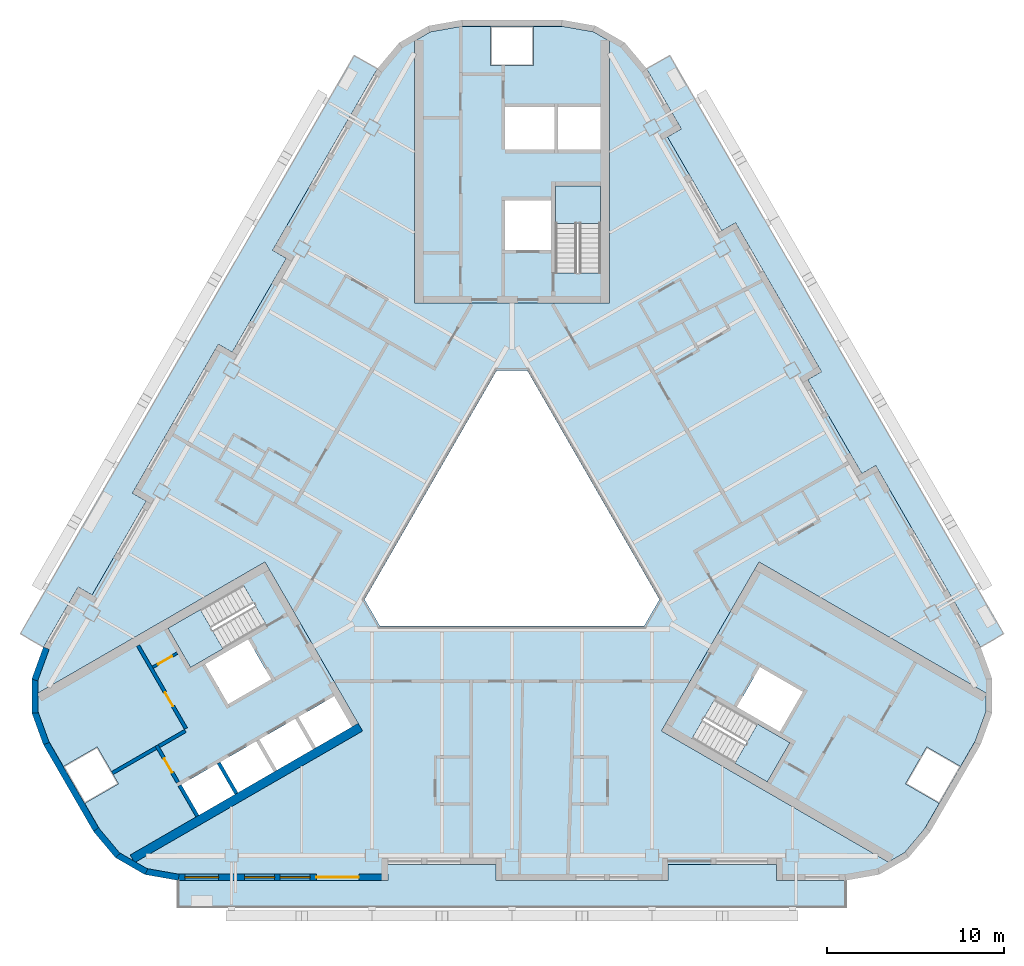
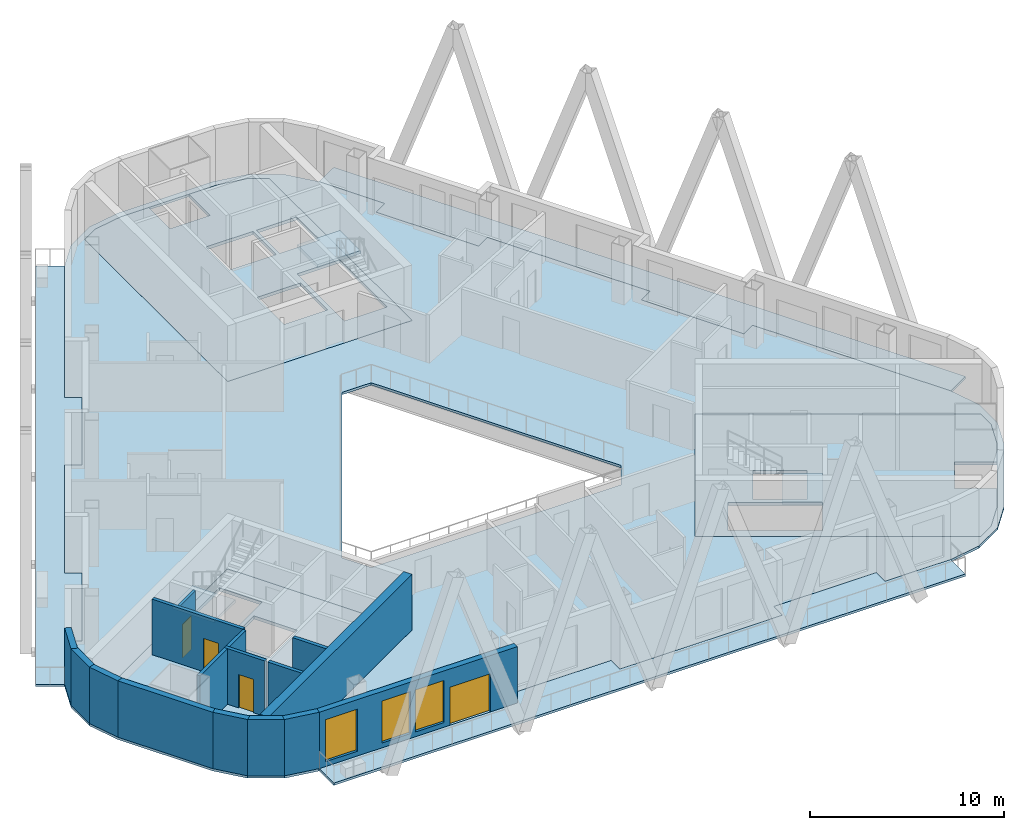
# One storey, part 2 of 14: 16 walls, 10 slabs, 4 doors, 3 windows, 7 openings, 3 elements without a shape of their own.
"""IFC4 building model written with IfcOpenShell, lengths in metres."""

import ifcopenshell
import ifcopenshell.guid

model = None  # the IFC model being written
_history = None  # IfcOwnerHistory: only IFC2X3 demands one
_inside = {}  # id of a spatial element -> (the spatial element, [elements in it])
_under = {}  # id of a project, library or spatial element -> (it, [spatial elements below it])
_declared = {}  # id of a project -> (the project, [libraries it declares])
_typed = {}  # id of a type object -> (the type object, [elements of that type])
_made_of = {}  # id of a material, layer set ... -> (it, [elements and type objects made of it])


def new_model(schema):
    """Start an empty IFC model of exactly this schema.

    Asked for "IFC4X3", IfcOpenShell would pick the latest addendum, in which some entities
    have other attributes; the version numbers below select the first issue.
    IFC2X3 requires an IfcOwnerHistory on every rooted entity: one is made here for all.
    """
    global model, _history
    if schema == "IFC4X3":
        model = ifcopenshell.file(schema_version=(4, 3, 0, 0))
    else:
        model = ifcopenshell.file(schema=schema)
    _inside.clear()
    _under.clear()
    _declared.clear()
    _typed.clear()
    _made_of.clear()
    _history = None
    if model.schema == "IFC2X3":
        org = make("IfcOrganization", Name="unknown")
        user = make(
            "IfcPersonAndOrganization",
            ThePerson=make("IfcPerson", FamilyName="unknown"),
            TheOrganization=org,
        )
        app = make(
            "IfcApplication",
            ApplicationDeveloper=org,
            Version="unknown",
            ApplicationFullName="unknown",
            ApplicationIdentifier="unknown",
        )
        _history = make(
            "IfcOwnerHistory",
            OwningUser=user,
            OwningApplication=app,
            ChangeAction="ADDED",
            CreationDate=0,
        )
    return model


def make(cls, **values):
    """One entity of the class cls with the attributes given. An attribute that is None is left unset."""
    return model.create_entity(
        cls, **{name: value for name, value in values.items() if value is not None}
    )


def rooted(cls, **values):
    """An entity with a GlobalId (a new one), such as an element, a storey or a relation."""
    return make(cls, GlobalId=ifcopenshell.guid.new(), OwnerHistory=_history, **values)


def si_unit(unit_type, name, prefix=None):
    """IfcSIUnit, for example si_unit("LENGTHUNIT", "METRE", prefix="MILLI")."""
    return make("IfcSIUnit", UnitType=unit_type, Prefix=prefix, Name=name)


def assignment(units):
    """IfcUnitAssignment: the units of a project."""
    return None if units is None else make("IfcUnitAssignment", Units=units)


def point(xyz):
    """IfcCartesianPoint."""
    return None if xyz is None else make("IfcCartesianPoint", Coordinates=xyz)


def direction(xyz):
    """IfcDirection."""
    return None if xyz is None else make("IfcDirection", DirectionRatios=xyz)


def frame(location, z_axis=None, x_axis=None):
    """IfcAxis2Placement3D, a coordinate frame: its origin and axes. An axis left out is left unset."""
    return make(
        "IfcAxis2Placement3D",
        Location=point(location),
        Axis=direction(z_axis),
        RefDirection=direction(x_axis),
    )


def frame_2d(location, x_axis=None):
    """IfcAxis2Placement2D, a coordinate frame in the plane: its origin and x axis."""
    return make(
        "IfcAxis2Placement2D", Location=point(location), RefDirection=direction(x_axis)
    )


def origin():
    """The frame at (0, 0, 0) with its axes left unset."""
    return frame((0.0, 0.0, 0.0))


def place(relative_to, where):
    """IfcLocalPlacement: puts the frame where relative to a parent placement (None: the world)."""
    return make(
        "IfcLocalPlacement", PlacementRelTo=relative_to, RelativePlacement=where
    )


def context(
    kind, dimensions, precision=None, world=None, true_north=None, identifier=None
):
    """IfcGeometricRepresentationContext, for example the 3D "Model" context."""
    return make(
        "IfcGeometricRepresentationContext",
        ContextIdentifier=identifier,
        ContextType=kind,
        CoordinateSpaceDimension=dimensions,
        Precision=precision,
        WorldCoordinateSystem=world,
        TrueNorth=true_north,
    )


def subcontext(parent, identifier, kind, view, scale=None):
    """IfcGeometricRepresentationSubContext, for example "Body" below "Model"."""
    return make(
        "IfcGeometricRepresentationSubContext",
        ContextIdentifier=identifier,
        ContextType=kind,
        ParentContext=parent,
        TargetScale=scale,
        TargetView=view,
    )


def project(units=None, contexts=None):
    """IfcProject with its units and contexts."""
    return rooted(
        "IfcProject",
        Name="project",
        RepresentationContexts=contexts,
        UnitsInContext=assignment(units),
    )


def spatial(cls, under=None, at=None, **own):
    """A site, building, storey or space (cls), placed at a placement, below another one or the project."""
    s = rooted(cls, ObjectPlacement=at, **own)
    if under is not None:
        _under.setdefault(under.id(), (under, []))[1].append(s)
    return s


def polyline(points):
    """IfcPolyline through the points."""
    return make("IfcPolyline", Points=[point(p) for p in points])


def profile(cls, at=None, kind="AREA", **sizes):
    """A parametric profile (cls). Its sizes go by their IFC names, for example OverallWidth=200.0."""
    return make(cls, ProfileType=kind, Position=at, **sizes)


def rectangle(**sizes):
    """IfcRectangleProfileDef."""
    return profile("IfcRectangleProfileDef", **sizes)


def outline(outer, holes=None, kind="AREA"):
    """IfcArbitraryClosedProfileDef: a profile drawn as a closed curve; with holes, ...WithVoids."""
    if holes is None:
        return make("IfcArbitraryClosedProfileDef", ProfileType=kind, OuterCurve=outer)
    return make(
        "IfcArbitraryProfileDefWithVoids",
        ProfileType=kind,
        OuterCurve=outer,
        InnerCurves=holes,
    )


def extrude(swept, where, along, depth):
    """IfcExtrudedAreaSolid: the profile swept, set in the frame where, extruded along a direction by depth."""
    return make(
        "IfcExtrudedAreaSolid",
        SweptArea=swept,
        Position=where,
        ExtrudedDirection=direction(along),
        Depth=depth,
    )


def shape(context_of_items, identifier, shape_type, items):
    """IfcShapeRepresentation: the items that make up one representation, for example the "Body"."""
    return make(
        "IfcShapeRepresentation",
        ContextOfItems=context_of_items,
        RepresentationIdentifier=identifier,
        RepresentationType=shape_type,
        Items=items,
    )


def material(Name=None, Category=None):
    """IfcMaterial."""
    return make("IfcMaterial", Name=Name, Category=Category)


def layer(
    of_material, thickness, ventilated=None, Name=None, Category=None, Priority=None
):
    """IfcMaterialLayer: one layer of a wall or slab, of a material (None: an air gap)."""
    return make(
        "IfcMaterialLayer",
        Material=of_material,
        LayerThickness=thickness,
        IsVentilated=ventilated,
        Name=Name,
        Category=Category,
        Priority=Priority,
    )


def layer_set(layers, Name=None):
    """IfcMaterialLayerSet."""
    return make("IfcMaterialLayerSet", MaterialLayers=layers, LayerSetName=Name)


def made_of(thing, what):
    """Note that an element or type object is made of a material, layer set ...; save() writes the relation."""
    if what is not None:
        _made_of.setdefault(what.id(), (what, []))[1].append(thing)
    return thing


def type_object(cls, material=None, **own):
    """A type object (cls), such as IfcWallType, which elements share."""
    return made_of(rooted(cls, **own), material)


def element(
    cls,
    number,
    at=None,
    inside=None,
    cuts=None,
    type_object=None,
    material=None,
    context=None,
    identifier="Body",
    shape_type=None,
    held_by="IfcProductDefinitionShape",
    body=None,
    shapes=None,
    **own,
):
    """One element of the class cls, such as IfcWall. Its Tag is "e" and its number.

    at: its placement. inside: the storey or other place that contains it. cuts: it is an
    opening in that element (IfcRelVoidsElement). A single representation is given by context,
    identifier, shape_type and body (its items); several are given by shapes. held_by: the class
    of the entity that holds the representations. save() writes the other relations.
    """
    e = rooted(cls, Tag="e%d" % number, ObjectPlacement=at, **own)
    if body is not None:
        shapes = [shape(context, identifier, shape_type, body)]
    if shapes is not None:
        e.Representation = make(held_by, Representations=shapes)
    if inside is not None:
        _inside.setdefault(inside.id(), (inside, []))[1].append(e)
    if cuts is not None:
        rooted(
            "IfcRelVoidsElement", RelatingBuildingElement=cuts, RelatedOpeningElement=e
        )
    if type_object is not None:
        _typed.setdefault(type_object.id(), (type_object, []))[1].append(e)
    return made_of(e, material)


def fill(opening, filler):
    """IfcRelFillsElement: the door or window that sits in an opening."""
    return rooted(
        "IfcRelFillsElement",
        RelatingOpeningElement=opening,
        RelatedBuildingElement=filler,
    )


def aggregate(whole, parts):
    """IfcRelAggregates: a whole, such as a stair, and the parts it consists of."""
    return rooted("IfcRelAggregates", RelatingObject=whole, RelatedObjects=parts)


def save(model, path):
    """Write the relations noted so far, then the file.

    IfcRelAggregates (storeys below a building ...), IfcRelContainedInSpatialStructure (elements
    in a storey), IfcRelDefinesByType, IfcRelAssociatesMaterial and IfcRelDeclares: one each for
    every whole, place, type object, material and project.
    """
    for whole, parts in _under.values():
        aggregate(whole, parts)
    for where, things in _inside.values():
        rooted(
            "IfcRelContainedInSpatialStructure",
            RelatedElements=things,
            RelatingStructure=where,
        )
    for kind, things in _typed.values():
        rooted("IfcRelDefinesByType", RelatedObjects=things, RelatingType=kind)
    for what, things in _made_of.values():
        rooted("IfcRelAssociatesMaterial", RelatedObjects=things, RelatingMaterial=what)
    for by, libraries in _declared.values():
        rooted("IfcRelDeclares", RelatingContext=by, RelatedDefinitions=libraries)
    model.write(path)


model = new_model("IFC4")

# Units and contexts
model_context = context("Model", 3, precision=1e-05, world=origin(), true_north=direction((0.0, 1.0)))
body_context = subcontext(model_context, "Body", "Model", "MODEL_VIEW")
ifc_project = project(units=[si_unit("LENGTHUNIT", "METRE"), si_unit("AREAUNIT", "SQUARE_METRE"), si_unit("VOLUMEUNIT", "CUBIC_METRE"), si_unit("PLANEANGLEUNIT", "RADIAN"), si_unit("MASSUNIT", "GRAM", prefix="KILO")], contexts=[model_context])

# Site, building, storey
site_placement = place(None, origin())
site = spatial("IfcSite", under=ifc_project, at=site_placement, CompositionType="ELEMENT")
building_placement = place(site_placement, origin())
building = spatial("IfcBuilding", under=site, at=building_placement, Name="Apuvela Tower Hotel", CompositionType="ELEMENT")
storey_placement = place(building_placement, frame((0.0, 0.0, 213.199951171875)))
storey = spatial("IfcBuildingStorey", under=building, at=storey_placement, Name="L52", CompositionType="ELEMENT", Elevation=213.199951171875)

# Slabs
ifc_material_1 = material(Name="Concrete C50/60", Category="concrete")
ifc_layer_1 = layer(ifc_material_1, 0.199951171875)
ifc_layer_set_1 = layer_set([ifc_layer_1], Name="COR-FLOOR-200")
slab_type_1 = type_object("IfcSlabType", Name="COR-FLOOR-200", PredefinedType="FLOOR", material=ifc_layer_set_1)
slab_1_placement = place(storey_placement, frame((0.0, 0.0, -0.199951171875)))
element("IfcSlab", 1, at=slab_1_placement, inside=storey, type_object=slab_type_1, Name="Core floor N", PredefinedType="FLOOR", context=body_context, shape_type="SweptSolid", body=[
    extrude(outline(polyline([(5.5, 27.668212890625), (4.588623046875, 28.1943359375), (2.85498046875, 28.5), (1.199951171875, 28.5), (1.199951171875, 26.300048828125), (-1.199951171875, 26.300048828125), (-1.199951171875, 28.5), (-2.85498046875, 28.5), (-4.588623046875, 28.1943359375), (-5.5, 27.668212890625), (-5.5, 12.89990234375), (5.5, 12.89990234375), (5.5, 27.668212890625)]), holes=[polyline([(5.0, 14.60595703125), (2.449951171875, 14.60595703125), (2.449951171875, 19.5), (5.0, 19.5), (5.0, 14.60595703125)]), polyline([(2.199951171875, 15.89990234375), (-0.39990234375, 15.89990234375), (-0.39990234375, 18.699951171875), (2.199951171875, 18.699951171875), (2.199951171875, 15.89990234375)]), polyline([(5.0, 21.550048828125), (2.60009765625, 21.550048828125), (2.60009765625, 23.949951171875), (5.0, 23.949951171875), (5.0, 21.550048828125)]), polyline([(2.39990234375, 21.550048828125), (-0.39990234375, 21.550048828125), (-0.39990234375, 23.949951171875), (2.39990234375, 23.949951171875), (2.39990234375, 21.550048828125)])]), origin(), (0.0, 0.0, 1.0), 0.199951171875),
])
slab_2_placement = place(storey_placement, frame((0.0, 0.0, -0.199951171875)))
element("IfcSlab", 2, at=slab_2_placement, inside=storey, type_object=slab_type_1, Name="Core floor SW", PredefinedType="FLOOR", context=body_context, shape_type="SweptSolid", body=[
    extrude(outline(polyline([(-26.711181640625, -9.07080078125), (-26.711181640625, -10.123291015625), (-26.109375, -11.77734375), (-25.28173828125, -13.210693359375), (-23.37646484375, -12.11083984375), (-22.176513671875, -14.189208984375), (-24.081787109375, -15.289306640625), (-23.254150390625, -16.72265625), (-22.122802734375, -18.071044921875), (-21.211181640625, -18.59716796875), (-8.421630859375, -11.213134765625), (-13.921630859375, -1.68701171875), (-26.711181640625, -9.07080078125)]), holes=[polyline([(-10.01806640625, -9.248046875), (-9.01806640625, -10.97998046875), (-11.044677734375, -12.150146484375), (-12.044677734375, -10.418212890625), (-10.01806640625, -9.248046875)]), polyline([(-14.244384765625, -11.68798828125), (-12.2177734375, -10.51806640625), (-11.2177734375, -12.25), (-13.244384765625, -13.420166015625), (-14.244384765625, -11.68798828125)]), polyline([(-19.387451171875, -5.419921875), (-15.149169921875, -2.972900390625), (-13.874267578125, -5.18115234375), (-18.112548828125, -7.628173828125), (-19.387451171875, -5.419921875)]), polyline([(-14.869873046875, -6.044677734375), (-13.56982421875, -8.29638671875), (-15.99462890625, -9.6962890625), (-17.294677734375, -7.444580078125), (-14.869873046875, -6.044677734375)]), polyline([(-16.444091796875, -12.9580078125), (-14.41748046875, -11.7880859375), (-13.41748046875, -13.52001953125), (-15.444091796875, -14.690185546875), (-16.444091796875, -12.9580078125)]), polyline([(-18.643798828125, -14.22802734375), (-16.6171875, -13.05810546875), (-15.6171875, -14.7900390625), (-17.643798828125, -15.960205078125), (-18.643798828125, -14.22802734375)])]), origin(), (0.0, 0.0, 1.0), 0.199951171875),
])
slab_3_placement = place(storey_placement, frame((0.0, 0.0, -0.199951171875)))
element("IfcSlab", 3, at=slab_3_placement, inside=storey, type_object=slab_type_1, Name="Core floor SE", PredefinedType="FLOOR", context=body_context, shape_type="SweptSolid", body=[
    extrude(outline(polyline([(21.211181640625, -18.59716796875), (22.122802734375, -18.071044921875), (23.254150390625, -16.72265625), (24.081787109375, -15.289306640625), (22.176513671875, -14.189208984375), (23.37646484375, -12.11083984375), (25.28173828125, -13.210693359375), (26.109375, -11.77734375), (26.711181640625, -10.123291015625), (26.711181640625, -9.07080078125), (13.921630859375, -1.68701171875), (8.421630859375, -11.213134765625), (21.211181640625, -18.59716796875)]), holes=[polyline([(11.42431640625, -9.4248046875), (15.66259765625, -11.871826171875), (14.387451171875, -14.080078125), (10.149169921875, -11.633056640625), (11.42431640625, -9.4248046875)]), polyline([(13.9697265625, -7.603515625), (16.394775390625, -9.003662109375), (15.0947265625, -11.25537109375), (12.669921875, -9.855224609375), (13.9697265625, -7.603515625)])]), origin(), (0.0, 0.0, 1.0), 0.199951171875),
])

# Stair, slab
stair_type = type_object("IfcStairType", Name="COR-STAIR-22R", PredefinedType="HALF_TURN_STAIR", material=ifc_material_1)
stair_1_placement = place(storey_placement, origin())
stair_1 = element("IfcStair", 4, at=stair_1_placement, inside=storey, type_object=stair_type, Name="L52 Exit stair ST1", PredefinedType="HALF_TURN_STAIR")
ifc_layer_2 = layer(ifc_material_1, 0.199951171875)
ifc_layer_set_2 = layer_set([ifc_layer_2], Name="COR-LANDING-200")
slab_type_2 = type_object("IfcSlabType", Name="COR-LANDING-200", PredefinedType="LANDING", material=ifc_layer_set_2)
slab_4_placement = place(storey_placement, frame((0.0, 0.0, 1.650146484375)))
slab_4 = element("IfcSlab", 5, at=slab_4_placement, type_object=slab_type_2, Name="ST1 landing 1", PredefinedType="LANDING", context=body_context, shape_type="SweptSolid", body=[
    extrude(outline(polyline([(5.0, 17.39404296875), (5.0, 19.5), (2.449951171875, 19.5), (2.449951171875, 17.39404296875), (5.0, 17.39404296875)])), origin(), (0.0, 0.0, 1.0), 0.199951171875),
])
aggregate(stair_1, [slab_4])

stair_2_placement = place(storey_placement, origin())
stair_2 = element("IfcStair", 6, at=stair_2_placement, inside=storey, type_object=stair_type, Name="L52 Exit stair ST2", PredefinedType="HALF_TURN_STAIR")
slab_5_placement = place(storey_placement, frame((0.0, 0.0, 1.650146484375)))
slab_5 = element("IfcSlab", 7, at=slab_5_placement, type_object=slab_type_2, Name="ST2 landing 1", PredefinedType="LANDING", context=body_context, shape_type="SweptSolid", body=[
    extrude(outline(polyline([(-17.563720703125, -4.366943359375), (-19.387451171875, -5.419921875), (-18.112548828125, -7.628173828125), (-16.28857421875, -6.5751953125), (-17.563720703125, -4.366943359375)])), origin(), (0.0, 0.0, 1.0), 0.199951171875),
])
aggregate(stair_2, [slab_5])

stair_3_placement = place(storey_placement, origin())
stair_3 = element("IfcStair", 8, at=stair_3_placement, inside=storey, type_object=stair_type, Name="L52 Exit stair ST3", PredefinedType="HALF_TURN_STAIR")
slab_6_placement = place(storey_placement, frame((0.0, 0.0, 1.650146484375)))
slab_6 = element("IfcSlab", 9, at=slab_6_placement, type_object=slab_type_2, Name="ST3 landing 1", PredefinedType="LANDING", context=body_context, shape_type="SweptSolid", body=[
    extrude(outline(polyline([(12.563720703125, -13.027099609375), (14.387451171875, -14.080078125), (15.66259765625, -11.871826171875), (13.838623046875, -10.81884765625), (12.563720703125, -13.027099609375)])), origin(), (0.0, 0.0, 1.0), 0.199951171875),
])
aggregate(stair_3, [slab_6])

# Slabs
ifc_material_2 = material(Name="Concrete C40/50, fair-faced", Category="concrete")
ifc_layer_3 = layer(ifc_material_2, 0.14990234375)
ifc_layer_set_3 = layer_set([ifc_layer_3], Name="ENV-BALCONY-150")
slab_type_3 = type_object("IfcSlabType", Name="ENV-BALCONY-150", PredefinedType="FLOOR", material=ifc_layer_set_3)
slab_7_placement = place(storey_placement, frame((0.0, 0.0, -0.14990234375)))
element("IfcSlab", 10, at=slab_7_placement, inside=storey, type_object=slab_type_3, Name="Balcony slab S L52", PredefinedType="FLOOR", context=body_context, shape_type="SweptSolid", body=[
    extrude(outline(polyline([(18.82080078125, -21.135009765625), (-18.82080078125, -21.135009765625), (-18.82080078125, -19.625), (-7.0048828125, -19.625), (-7.0048828125, -18.72509765625), (-0.89501953125, -18.72509765625), (-0.89501953125, -19.625), (8.794921875, -19.625), (8.794921875, -18.72509765625), (14.905029296875, -18.72509765625), (14.905029296875, -19.625), (18.82080078125, -19.625), (18.82080078125, -21.135009765625)])), origin(), (0.0, 0.0, 1.0), 0.14990234375),
])
slab_8_placement = place(storey_placement, frame((0.0, 0.0, -0.14990234375)))
element("IfcSlab", 11, at=slab_8_placement, inside=storey, type_object=slab_type_3, Name="Balcony slab NE L52", PredefinedType="FLOOR", context=body_context, shape_type="SweptSolid", body=[
    extrude(outline(polyline([(17.443359375, 9.037353515625), (12.598388671875, 17.42919921875), (11.81884765625, 16.979248046875), (8.763916015625, 22.2705078125), (9.543212890625, 22.720703125), (7.585205078125, 26.11181640625), (8.89306640625, 26.86669921875), (27.7138671875, -5.731689453125), (26.40625, -6.48681640625), (20.498291015625, 3.74609375), (19.71875, 3.2958984375), (16.663818359375, 8.58740234375), (17.443359375, 9.037353515625)])), origin(), (0.0, 0.0, 1.0), 0.14990234375),
])
slab_9_placement = place(storey_placement, frame((0.0, 0.0, -0.14990234375)))
element("IfcSlab", 12, at=slab_9_placement, inside=storey, type_object=slab_type_3, Name="Balcony slab NW L52", PredefinedType="FLOOR", context=body_context, shape_type="SweptSolid", body=[
    extrude(outline(polyline([(-27.7138671875, -5.731689453125), (-8.89306640625, 26.86669921875), (-7.585205078125, 26.11181640625), (-13.4931640625, 15.87890625), (-12.7138671875, 15.428955078125), (-15.768798828125, 10.1376953125), (-16.548095703125, 10.587646484375), (-21.393310546875, 2.19580078125), (-20.61376953125, 1.745849609375), (-23.668701171875, -3.545654296875), (-24.4482421875, -3.095703125), (-26.40625, -6.48681640625), (-27.7138671875, -5.731689453125)])), origin(), (0.0, 0.0, 1.0), 0.14990234375),
])
ifc_material_3 = material(Name="Concrete C35/45", Category="concrete")
ifc_layer_4 = layer(ifc_material_3, 0.14990234375)
ifc_layer_set_4 = layer_set([ifc_layer_4], Name="STR-SLAB 150 floor Concrete C35/45")
slab_type_4 = type_object("IfcSlabType", Name="STR-SLAB 150 floor Concrete C35/45", PredefinedType="FLOOR", material=ifc_layer_set_4)
slab_10_placement = place(storey_placement, frame((0.0, 0.0, -0.14990234375)))
element("IfcSlab", 13, at=slab_10_placement, inside=storey, type_object=slab_type_4, Name="Floor slab S4 L52", PredefinedType="FLOOR", context=body_context, shape_type="SweptSolid", body=[
    extrude(outline(polyline([(-6.3642578125, 27.5732421875), (-4.710205078125, 28.5283203125), (-2.8291015625, 28.860107421875), (2.8291015625, 28.860107421875), (4.710205078125, 28.5283203125), (6.3642578125, 27.5732421875), (7.59228515625, 26.110107421875), (9.550048828125, 22.71875), (8.770751953125, 22.268798828125), (11.82080078125, 16.986083984375), (12.60009765625, 17.43603515625), (17.4501953125, 9.035400390625), (16.670654296875, 8.58544921875), (19.720703125, 3.302734375), (20.5, 3.752685546875), (26.407958984375, -6.47998046875), (27.061279296875, -8.27490234375), (27.061279296875, -10.18505859375), (26.407958984375, -11.97998046875), (23.5791015625, -16.8798828125), (22.351318359375, -18.34326171875), (20.697021484375, -19.29833984375), (18.81591796875, -19.6298828125), (14.89990234375, -19.6298828125), (14.89990234375, -18.72998046875), (8.800048828125, -18.72998046875), (8.800048828125, -19.6298828125), (-0.89990234375, -19.6298828125), (-0.89990234375, -18.72998046875), (-7.0, -18.72998046875), (-7.0, -19.6298828125), (-18.81591796875, -19.6298828125), (-20.697021484375, -19.29833984375), (-22.351318359375, -18.34326171875), (-23.5791015625, -16.8798828125), (-26.407958984375, -11.97998046875), (-27.061279296875, -10.18505859375), (-27.061279296875, -8.27490234375), (-26.407958984375, -6.47998046875), (-24.4501953125, -3.088623046875), (-23.670654296875, -3.538818359375), (-20.62060546875, 1.743896484375), (-21.400146484375, 2.194091796875), (-16.550048828125, 10.594482421875), (-15.7705078125, 10.14453125), (-12.720703125, 15.42724609375), (-13.5, 15.877197265625), (-7.59228515625, 26.110107421875), (-6.3642578125, 27.5732421875)]), holes=[polyline([(0.865966796875, 9.10009765625), (-0.865966796875, 9.10009765625), (-8.313720703125, -3.800048828125), (-7.44775390625, -5.300048828125), (7.44775390625, -5.300048828125), (8.313720703125, -3.800048828125), (0.865966796875, 9.10009765625)]), polyline([(-5.5, 12.89990234375), (-5.5, 27.668212890625), (-4.588623046875, 28.1943359375), (-2.85498046875, 28.5), (2.85498046875, 28.5), (4.588623046875, 28.1943359375), (5.5, 27.668212890625), (5.5, 12.89990234375), (-5.5, 12.89990234375)]), polyline([(-8.421630859375, -11.213134765625), (-21.211181640625, -18.59716796875), (-22.122802734375, -18.071044921875), (-23.254150390625, -16.72265625), (-26.109375, -11.77734375), (-26.711181640625, -10.123291015625), (-26.711181640625, -9.07080078125), (-13.921630859375, -1.68701171875), (-8.421630859375, -11.213134765625)]), polyline([(13.921630859375, -1.68701171875), (26.711181640625, -9.07080078125), (26.711181640625, -10.123291015625), (26.109375, -11.77734375), (23.254150390625, -16.72265625), (22.122802734375, -18.071044921875), (21.211181640625, -18.59716796875), (8.421630859375, -11.213134765625), (13.921630859375, -1.68701171875)])]), origin(), (0.0, 0.0, 1.0), 0.14990234375),
])

# Wall
ifc_layer_5 = layer(ifc_material_1, 0.5)
ifc_layer_set_5 = layer_set([ifc_layer_5], Name="COR-WALL-CORE-500")
wall_type_1 = type_object("IfcWallType", Name="COR-WALL-CORE-500", PredefinedType="SHEAR", material=ifc_layer_set_5)
wall_1_placement = place(storey_placement, frame((-8.546630859375, -10.99658203125, 0.0), z_axis=(0.0, 0.0, 1.0), x_axis=(-0.866025009528, -0.500000682871, 0.0)))
element("IfcWall", 14, at=wall_1_placement, inside=storey, type_object=wall_type_1, Name="Core wall SW", PredefinedType="SHEAR", context=body_context, shape_type="SweptSolid", body=[
    extrude(rectangle(XDim=14.8369140625, YDim=0.5, at=frame_2d((7.41845703125, 0.0))), origin(), (0.0, 0.0, 1.0), 3.5),
])

# Wall, opening, door
ifc_material_4 = material(Name="Blockwork 150 mm plastered", Category="masonry")
ifc_layer_6 = layer(ifc_material_4, 0.14990234375)
ifc_layer_set_6 = layer_set([ifc_layer_6], Name="COR-WALL-PART-150")
wall_type_2 = type_object("IfcWallType", Name="COR-WALL-PART-150", PredefinedType="PARTITIONING", material=ifc_layer_set_6)
wall_2_placement = place(storey_placement, frame((-18.866455078125, -6.822265625, 0.0), z_axis=(0.0, 0.0, 1.0), x_axis=(-0.866028054938, -0.499995408039, 0.0)))
wall_2 = element("IfcWall", 15, at=wall_2_placement, inside=storey, type_object=wall_type_2, Name="Partition SW", PredefinedType="PARTITIONING", context=body_context, shape_type="SweptSolid", body=[
    extrude(rectangle(XDim=1.60009765625, YDim=0.14990234375, at=frame_2d((0.800048828125, 0.0))), origin(), (0.0, 0.0, 1.0), 3.5),
])
opening_1_placement = place(wall_2_placement, frame((0.35009765625, 0.0, 0.0)))
opening_1 = element("IfcOpeningElement", 16, at=opening_1_placement, cuts=wall_2, Name="Opening W-RD", PredefinedType="OPENING", context=body_context, shape_type="SweptSolid", body=[
    extrude(rectangle(XDim=0.89990234375, YDim=2.10009765625, at=frame_2d((0.449951171875, 1.050048828125))), frame((0.0, 0.0849609375, 0.0), z_axis=(0.0, -1.0, 0.0), x_axis=(1.0, 0.0, 0.0)), (0.0, 0.0, 1.0), 0.169921875),
])
ifc_material_5 = material(Name="Steel access door, powder coated", Category="steel")
door_type_1 = type_object("IfcDoorType", Name="COR-RD-900", OperationType="NOTDEFINED", PredefinedType="DOOR", material=ifc_material_5)
door_1_placement = place(opening_1_placement, frame((0.89990234375, 0.0, 0.0), z_axis=(0.0, 0.0, 1.0), x_axis=(-1.0, 0.0, 0.0)))
door_1 = element("IfcDoor", 17, at=door_1_placement, inside=storey, type_object=door_type_1, Name="Riser door W-RD", OperationType="SINGLE_SWING_RIGHT", OverallHeight=2.10009765625, OverallWidth=0.89990234375, PredefinedType="DOOR", context=body_context, shape_type="SweptSolid", body=[
    extrude(rectangle(XDim=0.89990234375, YDim=2.10009765625, at=frame_2d((0.449951171875, 1.050048828125))), frame((0.0, 0.02490234375, 0.0), z_axis=(0.0, -1.0, 0.0), x_axis=(1.0, 0.0, 0.0)), (0.0, 0.0, 1.0), 0.050048828125),
])
fill(opening_1, door_1)

ifc_material_6 = material(Name="Blockwork 200 mm plastered", Category="masonry")
ifc_layer_7 = layer(ifc_material_6, 0.199951171875)
ifc_layer_set_7 = layer_set([ifc_layer_7], Name="COR-WALL-PART-200")
wall_type_3 = type_object("IfcWallType", Name="COR-WALL-PART-200", PredefinedType="PARTITIONING", material=ifc_layer_set_7)
wall_3_placement = place(storey_placement, frame((-21.076171875, -6.39501953125, 0.0), z_axis=(0.0, 0.0, 1.0), x_axis=(0.50001468107, -0.866016927499, 0.0)))
wall_3 = element("IfcWall", 18, at=wall_3_placement, inside=storey, type_object=wall_type_3, Name="Partition SW", PredefinedType="PARTITIONING", context=body_context, shape_type="SweptSolid", body=[
    extrude(rectangle(XDim=5.399658203125, YDim=0.199951171875, at=frame_2d((2.69970703125, 0.0))), origin(), (0.0, 0.0, 1.0), 3.5),
])
opening_2_placement = place(wall_3_placement, frame((3.050048828125, 0.0, 0.0)))
opening_2 = element("IfcOpeningElement", 19, at=opening_2_placement, cuts=wall_3, Name="Opening W-RS1", PredefinedType="OPENING", context=body_context, shape_type="SweptSolid", body=[
    extrude(rectangle(XDim=0.89990234375, YDim=2.10009765625, at=frame_2d((0.449951171875, 1.050048828125))), frame((0.0, 0.10986328125, 0.0), z_axis=(0.0, -1.0, 0.0), x_axis=(1.0, 0.0, 0.0)), (0.0, 0.0, 1.0), 0.219970703125),
])
ifc_material_7 = material(Name="Steel fire door, powder coated", Category="steel")
door_type_2 = type_object("IfcDoorType", Name="COR-DR-900", OperationType="NOTDEFINED", PredefinedType="DOOR", material=ifc_material_7)
door_2_placement = place(opening_2_placement, frame((0.89990234375, 0.0, 0.0), z_axis=(0.0, 0.0, 1.0), x_axis=(-1.0, 0.0, 0.0)))
door_2 = element("IfcDoor", 20, at=door_2_placement, inside=storey, type_object=door_type_2, Name="Store door W-RS1", OperationType="SINGLE_SWING_LEFT", OverallHeight=2.10009765625, OverallWidth=0.89990234375, PredefinedType="DOOR", context=body_context, shape_type="SweptSolid", body=[
    extrude(rectangle(XDim=0.89990234375, YDim=2.10009765625, at=frame_2d((0.449951171875, 1.050048828125))), frame((0.0, 0.02490234375, 0.0), z_axis=(0.0, -1.0, 0.0), x_axis=(1.0, 0.0, 0.0)), (0.0, 0.0, 1.0), 0.050048828125),
])
fill(opening_2, door_2)

ifc_layer_8 = layer(ifc_material_1, 0.199951171875)
ifc_layer_set_8 = layer_set([ifc_layer_8], Name="COR-WALL-SHAFT-200")
wall_type_4 = type_object("IfcWallType", Name="COR-WALL-SHAFT-200", PredefinedType="SHEAR", material=ifc_layer_set_8)
wall_4_placement = place(storey_placement, frame((-20.030517578125, -12.0263671875, 0.0), z_axis=(0.0, 0.0, 1.0), x_axis=(0.500033551112, -0.866006032174, 0.0)))
wall_4 = element("IfcWall", 21, at=wall_4_placement, inside=storey, type_object=wall_type_4, Name="Shaft wall SW", PredefinedType="SHEAR", context=body_context, shape_type="SweptSolid", body=[
    extrude(rectangle(XDim=2.400146484375, YDim=0.199951171875, at=frame_2d((1.2001953125, 0.0))), origin(), (0.0, 0.0, 1.0), 3.5),
])
opening_3_placement = place(wall_4_placement, frame((0.85009765625, 0.0, 0.0)))
opening_3 = element("IfcOpeningElement", 22, at=opening_3_placement, cuts=wall_4, Name="Opening W-REP", PredefinedType="OPENING", context=body_context, shape_type="SweptSolid", body=[
    extrude(rectangle(XDim=0.89990234375, YDim=2.10009765625, at=frame_2d((0.449951171875, 1.050048828125))), frame((0.0, 0.10986328125, 0.0), z_axis=(0.0, -1.0, 0.0), x_axis=(1.0, 0.0, 0.0)), (0.0, 0.0, 1.0), 0.219970703125),
])
door_3_placement = place(opening_3_placement, frame((0.89990234375, 0.0, 0.0), z_axis=(0.0, 0.0, 1.0), x_axis=(-1.0, 0.0, 0.0)))
door_3 = element("IfcDoor", 23, at=door_3_placement, inside=storey, type_object=door_type_2, Name="Store door W-REP", OperationType="SINGLE_SWING_LEFT", OverallHeight=2.10009765625, OverallWidth=0.89990234375, PredefinedType="DOOR", context=body_context, shape_type="SweptSolid", body=[
    extrude(rectangle(XDim=0.89990234375, YDim=2.10009765625, at=frame_2d((0.449951171875, 1.050048828125))), frame((0.0, 0.02490234375, 0.0), z_axis=(0.0, -1.0, 0.0), x_axis=(1.0, 0.0, 0.0)), (0.0, 0.0, 1.0), 0.050048828125),
])
fill(opening_3, door_3)

# Walls
wall_5_placement = place(storey_placement, frame((-18.412841796875, -11.2080078125, 0.0), z_axis=(0.0, 0.0, 1.0), x_axis=(-0.866038183914, -0.499977863513, 0.0)))
element("IfcWall", 24, at=wall_5_placement, inside=storey, type_object=wall_type_4, Name="Shaft wall SW", PredefinedType="SHEAR", context=body_context, shape_type="SweptSolid", body=[
    extrude(rectangle(XDim=1.7099609375, YDim=0.199951171875, at=frame_2d((0.85498046875, 0.0))), origin(), (0.0, 0.0, 1.0), 3.5),
])
for number, where, z_axis, x_axis, name in (
    (25, (-16.530517578125, -13.008056640625, 0.0), (0.0, 0.0, 1.0), (0.50002537861, -0.866010750942, 0.0), "Shaft wall SW"),
    (26, (-18.73046875, -14.278076171875, 0.0), (0.0, 0.0, 1.0), (0.50002537861, -0.866010750942, 0.0), "Shaft wall SW"),
):
    element("IfcWall", number, at=place(storey_placement, frame(where, z_axis=z_axis, x_axis=x_axis)), inside=storey, type_object=wall_type_4, Name=name, PredefinedType="SHEAR", context=body_context, shape_type="SweptSolid", body=[
        extrude(rectangle(XDim=2.0, YDim=0.199951171875, at=frame_2d((1.0, 0.0))), origin(), (0.0, 0.0, 1.0), 3.5),
    ])
wall_6_placement = place(storey_placement, frame((-20.06689453125, -12.1630859375, 0.0), z_axis=(0.0, 0.0, 1.0), x_axis=(-0.866055327414, -0.49994816717, 0.0)))
element("IfcWall", 27, at=wall_6_placement, inside=storey, type_object=wall_type_4, Name="Shaft wall SW", PredefinedType="SHEAR", context=body_context, shape_type="SweptSolid", body=[
    extrude(rectangle(XDim=2.840087890625, YDim=0.199951171875, at=frame_2d((1.419921875, 0.0))), origin(), (0.0, 0.0, 1.0), 3.5),
])
ifc_material_8 = material(Name="Concrete C40/50, dark pigmented precast panel", Category="concrete")
ifc_layer_9 = layer(ifc_material_8, 0.35009765625)
ifc_layer_set_9 = layer_set([ifc_layer_9], Name="ENV-WALL-350")
wall_type_5 = type_object("IfcWallType", Name="ENV-WALL-350", PredefinedType="SOLIDWALL", material=ifc_layer_set_9)
for number, where, z_axis, x_axis, name in (
    (28, (-26.24365234375, -6.539794921875, 0.0), (0.0, 0.0, 1.0), (-0.342030395486, -0.939688889242, 0.0), "External wall L52-10"),
    (29, (-26.88623046875, -8.27490234375, 0.0), (0.0, 0.0, 1.0), (0.0, -1.0, 0.0), "External wall L52-11"),
    (30, (-26.89697265625, -10.125244140625, 0.0), (0.0, 0.0, 1.0), (0.342030395486, -0.939688889242, 0.0), "External wall L52-12"),
):
    element("IfcWall", number, at=place(storey_placement, frame(where, z_axis=z_axis, x_axis=x_axis)), inside=storey, type_object=wall_type_5, Name=name, PredefinedType="SOLIDWALL", context=body_context, shape_type="SweptSolid", body=[
        extrude(rectangle(XDim=1.91015625, YDim=0.35009765625, at=frame_2d((0.955078125, 0.0))), origin(), (0.0, 0.0, 1.0), 3.550048828125),
    ])
wall_7_placement = place(storey_placement, frame((-26.256591796875, -11.892578125, 0.0), z_axis=(0.0, 0.0, 1.0), x_axis=(0.500018773155, -0.866014564827, 0.0)))
element("IfcWall", 31, at=wall_7_placement, inside=storey, type_object=wall_type_5, Name="External wall L52-13", PredefinedType="SOLIDWALL", context=body_context, shape_type="SweptSolid", body=[
    extrude(rectangle(XDim=5.657958984375, YDim=0.35009765625, at=frame_2d((2.8291015625, 0.0))), origin(), (0.0, 0.0, 1.0), 3.550048828125),
])
for number, where, z_axis, x_axis, name in (
    (32, (-23.44482421875, -16.767578125, 0.0), (0.0, 0.0, 1.0), (0.642733291068, -0.76609001857, 0.0), "External wall L52-14"),
    (33, (-22.263671875, -18.191650390625, 0.0), (0.0, 0.0, 1.0), (0.866000389056, -0.500043324278, 0.0), "External wall L52-15"),
):
    element("IfcWall", number, at=place(storey_placement, frame(where, z_axis=z_axis, x_axis=x_axis)), inside=storey, type_object=wall_type_5, Name=name, PredefinedType="SOLIDWALL", context=body_context, shape_type="SweptSolid", body=[
        extrude(rectangle(XDim=1.909912109375, YDim=0.35009765625, at=frame_2d((0.955078125, 0.0))), origin(), (0.0, 0.0, 1.0), 3.550048828125),
    ])
wall_8_placement = place(storey_placement, frame((-20.66650390625, -19.1259765625, 0.0), z_axis=(0.0, 0.0, 1.0), x_axis=(0.984798995425, -0.173697837091, 0.0)))
element("IfcWall", 34, at=wall_8_placement, inside=storey, type_object=wall_type_5, Name="External wall L52-16", PredefinedType="SOLIDWALL", context=body_context, shape_type="SweptSolid", body=[
    extrude(rectangle(XDim=1.91015625, YDim=0.35009765625, at=frame_2d((0.955078125, 0.0))), origin(), (0.0, 0.0, 1.0), 3.550048828125),
])

# Wall, openings, door, windows
wall_9_placement = place(storey_placement, frame((-18.81591796875, -19.455078125, 0.0), z_axis=(0.0, 0.0, 1.0), x_axis=(1.0, 0.0, 0.0)))
wall_9 = element("IfcWall", 35, at=wall_9_placement, inside=storey, type_object=wall_type_5, Name="External wall L52-17", PredefinedType="SOLIDWALL", context=body_context, shape_type="SweptSolid", body=[
    extrude(rectangle(XDim=11.81591796875, YDim=0.35009765625, at=frame_2d((5.907958984375, 0.0))), origin(), (0.0, 0.0, 1.0), 3.550048828125),
])
opening_4_placement = place(wall_9_placement, frame((0.380615234375, 0.0, 0.300048828125)))
opening_4 = element("IfcOpeningElement", 36, at=opening_4_placement, cuts=wall_9, Name="Opening WN19", PredefinedType="OPENING", context=body_context, shape_type="SweptSolid", body=[
    extrude(rectangle(XDim=1.89990234375, YDim=2.64990234375, at=frame_2d((0.949951171875, 1.324951171875))), frame((0.0, 0.18505859375, 0.0), z_axis=(0.0, -1.0, 0.0), x_axis=(1.0, 0.0, 0.0)), (0.0, 0.0, 1.0), 0.3701171875),
])
opening_5_placement = place(wall_9_placement, frame((7.790283203125, 0.0, 0.0)))
opening_5 = element("IfcOpeningElement", 37, at=opening_5_placement, cuts=wall_9, Name="Opening BD24", PredefinedType="OPENING", context=body_context, shape_type="SweptSolid", body=[
    extrude(rectangle(XDim=2.39990234375, YDim=2.39990234375, at=frame_2d((1.199951171875, 1.199951171875))), frame((0.0, 0.18505859375, 0.0), z_axis=(0.0, -1.0, 0.0), x_axis=(1.0, 0.0, 0.0)), (0.0, 0.0, 1.0), 0.3701171875),
])
opening_6_placement = place(wall_9_placement, frame((3.740966796875, 0.0, 0.300048828125)))
opening_6 = element("IfcOpeningElement", 38, at=opening_6_placement, cuts=wall_9, Name="Opening WN17", PredefinedType="OPENING", context=body_context, shape_type="SweptSolid", body=[
    extrude(rectangle(XDim=1.699951171875, YDim=2.64990234375, at=frame_2d((0.85009765625, 1.324951171875))), frame((0.0, 0.18505859375, 0.0), z_axis=(0.0, -1.0, 0.0), x_axis=(1.0, 0.0, 0.0)), (0.0, 0.0, 1.0), 0.3701171875),
])
opening_7_placement = place(wall_9_placement, frame((5.740966796875, 0.0, 0.300048828125)))
opening_7 = element("IfcOpeningElement", 39, at=opening_7_placement, cuts=wall_9, Name="Opening WN17", PredefinedType="OPENING", context=body_context, shape_type="SweptSolid", body=[
    extrude(rectangle(XDim=1.699951171875, YDim=2.64990234375, at=frame_2d((0.85009765625, 1.324951171875))), frame((0.0, 0.18505859375, 0.0), z_axis=(0.0, -1.0, 0.0), x_axis=(1.0, 0.0, 0.0)), (0.0, 0.0, 1.0), 0.3701171875),
])
ifc_material_9 = material(Name="Aluminium 6063-T6, dark bronze anodised frame with dark tinted laminated glass", Category="aluminium")
door_type_3 = type_object("IfcDoorType", Name="ENV-DOOR-BALCONY-2400x2400", OperationType="SLIDING_TO_LEFT", PredefinedType="DOOR", material=ifc_material_9)
door_4_placement = place(opening_5_placement, frame((2.39990234375, 0.0, 0.0), z_axis=(0.0, 0.0, 1.0), x_axis=(-1.0, 0.0, 0.0)))
door_4 = element("IfcDoor", 40, at=door_4_placement, inside=storey, type_object=door_type_3, Name="Balcony door BD24", OperationType="SLIDING_TO_LEFT", OverallHeight=2.39990234375, OverallWidth=2.39990234375, PredefinedType="DOOR", context=body_context, shape_type="SweptSolid", body=[
    extrude(rectangle(XDim=2.39990234375, YDim=2.39990234375, at=frame_2d((1.199951171875, 1.199951171875))), frame((0.0, 0.02490234375, 0.0), z_axis=(0.0, -1.0, 0.0), x_axis=(1.0, 0.0, 0.0)), (0.0, 0.0, 1.0), 0.050048828125),
])
fill(opening_5, door_4)
ifc_material_10 = material(Name="Glass, dark tinted laminated insulated glazing unit", Category="glass")
window_type_1 = type_object("IfcWindowType", Name="ENV-WIN-1700x2650", PartitioningType="SINGLE_PANEL", PredefinedType="WINDOW", material=ifc_material_10)
window_1_placement = place(opening_6_placement, origin())
window_1 = element("IfcWindow", 41, at=window_1_placement, inside=storey, type_object=window_type_1, Name="Window WN17", OverallHeight=2.64990234375, OverallWidth=1.699951171875, PartitioningType="SINGLE_PANEL", PredefinedType="WINDOW", context=body_context, shape_type="SweptSolid", body=[
    extrude(rectangle(XDim=1.699951171875, YDim=2.64990234375, at=frame_2d((0.85009765625, 1.324951171875))), frame((0.0, 0.030029296875, 0.0), z_axis=(0.0, -1.0, 0.0), x_axis=(1.0, 0.0, 0.0)), (0.0, 0.0, 1.0), 0.06005859375),
])
fill(opening_6, window_1)
window_2_placement = place(opening_7_placement, origin())
window_2 = element("IfcWindow", 42, at=window_2_placement, inside=storey, type_object=window_type_1, Name="Window WN17", OverallHeight=2.64990234375, OverallWidth=1.699951171875, PartitioningType="SINGLE_PANEL", PredefinedType="WINDOW", context=body_context, shape_type="SweptSolid", body=[
    extrude(rectangle(XDim=1.699951171875, YDim=2.64990234375, at=frame_2d((0.85009765625, 1.324951171875))), frame((0.0, 0.030029296875, 0.0), z_axis=(0.0, -1.0, 0.0), x_axis=(1.0, 0.0, 0.0)), (0.0, 0.0, 1.0), 0.06005859375),
])
fill(opening_7, window_2)
window_type_2 = type_object("IfcWindowType", Name="ENV-WIN-1900x2650", PartitioningType="SINGLE_PANEL", PredefinedType="WINDOW", material=ifc_material_10)
window_3_placement = place(opening_4_placement, origin())
window_3 = element("IfcWindow", 43, at=window_3_placement, inside=storey, type_object=window_type_2, Name="Window WN19", OverallHeight=2.64990234375, OverallWidth=1.89990234375, PartitioningType="SINGLE_PANEL", PredefinedType="WINDOW", context=body_context, shape_type="SweptSolid", body=[
    extrude(rectangle(XDim=1.89990234375, YDim=2.64990234375, at=frame_2d((0.949951171875, 1.324951171875))), frame((0.0, 0.030029296875, 0.0), z_axis=(0.0, -1.0, 0.0), x_axis=(1.0, 0.0, 0.0)), (0.0, 0.0, 1.0), 0.06005859375),
])
fill(opening_4, window_3)

save(model, "model.ifc")
